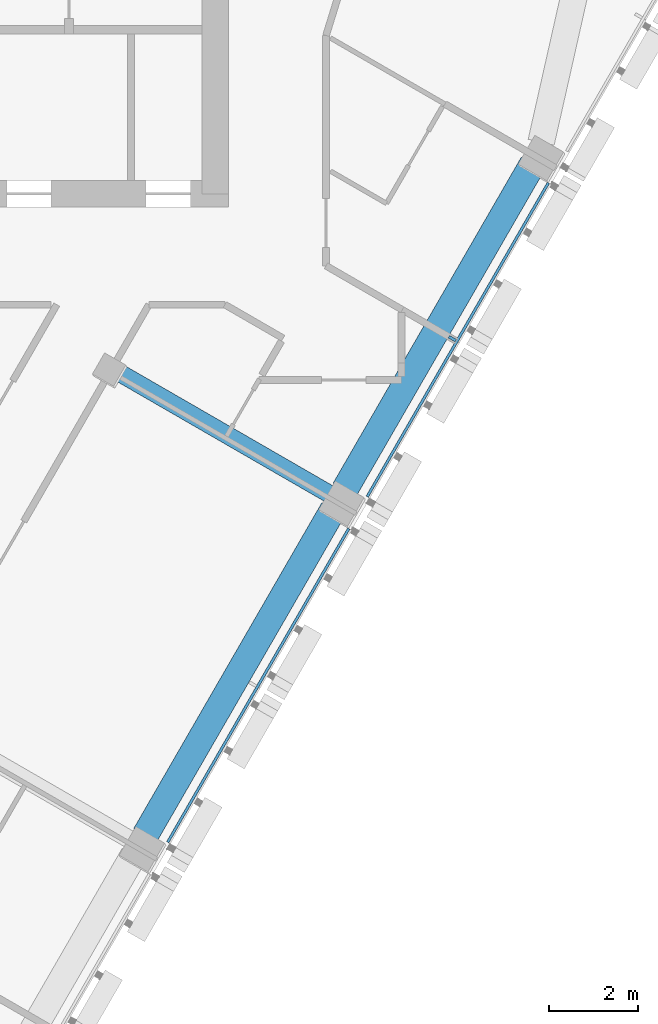
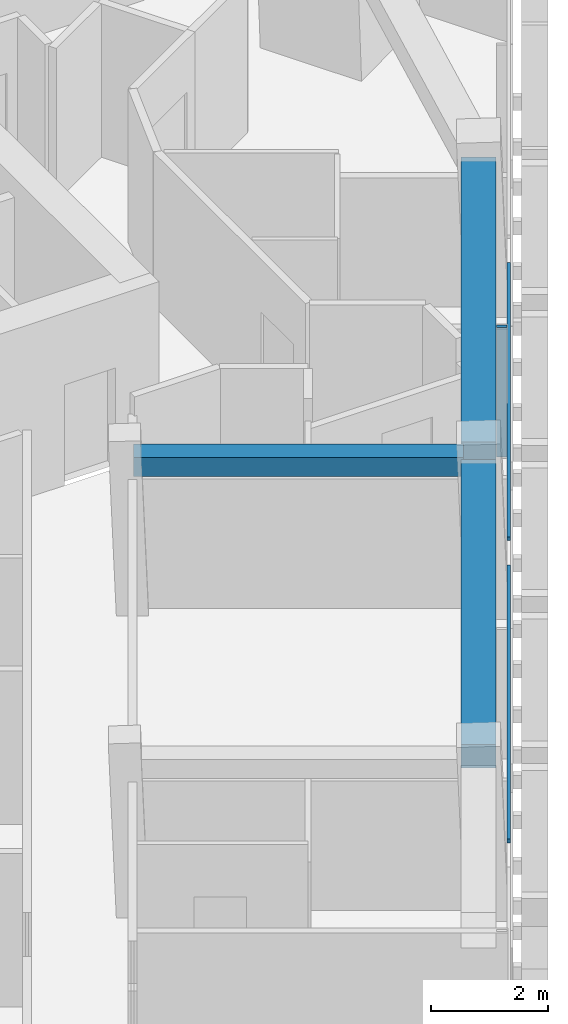
# One storey, part 4 of 15: 3 beams, 3 members, 1 element without a shape of its own.
"""IFC4 building model written with IfcOpenShell, lengths in metres."""

from ifc_helpers import new_model, si_unit, direction, frame, origin, origin_2d, place, context, subcontext, project, spatial, rectangle, extrude, material, layer, layer_set, material_profile, profile_set, type_object, element, aggregate, save


model = new_model("IFC4")

# Units and contexts
model_context = context("Model", 3, precision=1e-05, world=origin(), true_north=direction((0.0, 1.0)))
body_context = subcontext(model_context, "Body", "Model", "MODEL_VIEW")
ifc_project = project(units=[si_unit("LENGTHUNIT", "METRE"), si_unit("AREAUNIT", "SQUARE_METRE"), si_unit("VOLUMEUNIT", "CUBIC_METRE"), si_unit("PLANEANGLEUNIT", "RADIAN"), si_unit("MASSUNIT", "GRAM", prefix="KILO")], contexts=[model_context])

# Site, building, storey
site_placement = place(None, origin())
site = spatial("IfcSite", under=ifc_project, at=site_placement, CompositionType="ELEMENT")
building_placement = place(site_placement, origin())
building = spatial("IfcBuilding", under=site, at=building_placement, Name="Altiplano Prism Tower", CompositionType="ELEMENT")
storey_placement = place(building_placement, frame((0.0, 0.0, 246.39990234375)))
storey = spatial("IfcBuildingStorey", under=building, at=storey_placement, Name="L63", CompositionType="ELEMENT", Elevation=246.39990234375)

# Curtain wall, members
ifc_material_1 = material(Name="Aluminium and glass", Category="aluminium")
ifc_layer = layer(ifc_material_1, 0.280029296875)
ifc_layer_set = layer_set([ifc_layer], Name="Aluminium and glass")
curtain_wall_type = type_object("IfcCurtainWallType", Name="CW1 typical co-living unitised curtain wall", PredefinedType="NOTDEFINED", material=ifc_layer_set)
curtain_wall_placement = place(storey_placement, origin())
curtain_wall = element("IfcCurtainWall", 1, at=curtain_wall_placement, inside=storey, type_object=curtain_wall_type, Name="CW1 curtain wall south-east face L63", PredefinedType="NOTDEFINED")
ifc_material_2 = material(Name="Aluminium", Category="aluminium")
ifc_material_profile_1 = material_profile(ifc_material_2, rectangle(XDim=0.179931640625, YDim=0.06494140625, at=origin_2d()), Name="CW1 mullion 65 x 180")
ifc_profile_set_1 = profile_set([ifc_material_profile_1], Name="Aluminium")
member_type_1 = type_object("IfcMemberType", Name="CW1 mullion 65 x 180", PredefinedType="MULLION", material=ifc_profile_set_1)
member_1_placement = place(storey_placement, frame((102.64697265625, 89.832763671875, 0.0), z_axis=(0.0, 0.0, 1.0), x_axis=(-0.866025400486, 0.500000005713, 0.0)))
member_1 = element("IfcMember", 2, at=member_1_placement, type_object=member_type_1, Name="CW1 mullion", PredefinedType="MULLION", context=body_context, shape_type="SweptSolid", body=[
    extrude(rectangle(XDim=0.179931640625, YDim=0.06494140625, at=origin_2d()), origin(), (0.0, 0.0, 1.0), 2.7001953125),
])
ifc_material_profile_2 = material_profile(ifc_material_2, rectangle(XDim=0.06005859375, YDim=0.080078125, at=origin_2d()), Name="CW1 transom 80 x 60")
ifc_profile_set_2 = profile_set([ifc_material_profile_2], Name="Aluminium")
member_type_2 = type_object("IfcMemberType", Name="CW1 transom 80 x 60", PredefinedType="USERDEFINED", material=ifc_profile_set_2)
member_2_placement = place(storey_placement, frame((96.228271484375, 78.47509765625, 1.10009765625), z_axis=(0.499995783154, 0.866027838368, 0.0), x_axis=(-0.866027838368, 0.499995783154, 0.0)))
member_2 = element("IfcMember", 3, at=member_2_placement, type_object=member_type_2, Name="CW1 transom", ObjectType="TRANSOM", PredefinedType="USERDEFINED", context=body_context, shape_type="SweptSolid", body=[
    extrude(rectangle(XDim=0.06005859375, YDim=0.080078125, at=origin_2d()), origin(), (0.0, 0.0, 1.0), 8.169921875),
])
member_3_placement = place(storey_placement, frame((100.728271484375, 86.269287109375, 1.10009765625), z_axis=(0.499995783154, 0.866027838368, 0.0), x_axis=(-0.866027838368, 0.499995783154, 0.0)))
member_3 = element("IfcMember", 4, at=member_3_placement, type_object=member_type_2, Name="CW1 transom", ObjectType="TRANSOM", PredefinedType="USERDEFINED", context=body_context, shape_type="SweptSolid", body=[
    extrude(rectangle(XDim=0.06005859375, YDim=0.080078125, at=origin_2d()), origin(), (0.0, 0.0, 1.0), 8.169921875),
])
aggregate(curtain_wall, [member_2, member_1, member_3])

# Beams
ifc_material_3 = material(Name="Concrete C60/75", Category="concrete")
ifc_material_profile_3 = material_profile(ifc_material_3, rectangle(XDim=0.60009765625, YDim=0.5, at=origin_2d()), Name="Edge beam 600x500")
ifc_profile_set_3 = profile_set([ifc_material_profile_3], Name="Concrete C60/75")
beam_type_1 = type_object("IfcBeamType", Name="Edge beam 600x500", PredefinedType="SPANDREL", material=ifc_profile_set_3)
for number, where, z_axis, x_axis, name in (
    (5, (95.719482421875, 78.630859375, 2.9501953125), (0.49998963237, 0.866031389456, 0.0), (-0.866031389456, 0.49998963237, 0.0), "Edge beam P22-P23 L64"),
    (6, (100.219482421875, 86.425048828125, 2.9501953125), (0.49998963237, 0.866031389456, 0.0), (-0.866031389456, 0.49998963237, 0.0), "Edge beam P23-P24 L64"),
):
    element("IfcBeam", number, at=place(storey_placement, frame(where, z_axis=z_axis, x_axis=x_axis)), inside=storey, type_object=beam_type_1, Name=name, PredefinedType="SPANDREL", context=body_context, shape_type="SweptSolid", body=[
        extrude(rectangle(XDim=0.60009765625, YDim=0.5, at=origin_2d()), origin(), (0.0, 0.0, 1.0), 8.489990234375),
    ])
ifc_material_profile_4 = material_profile(ifc_material_3, rectangle(XDim=0.39990234375, YDim=0.39990234375, at=origin_2d()), Name="Tie beam 400x400")
ifc_profile_set_4 = profile_set([ifc_material_profile_4], Name="Concrete C60/75")
beam_type_2 = type_object("IfcBeamType", Name="Tie beam 400x400", PredefinedType="BEAM", material=ifc_profile_set_4)
beam_placement = place(storey_placement, frame((94.986572265625, 89.15185546875, 3.0), z_axis=(0.866026281646, -0.499998479497, 0.0), x_axis=(0.499998479497, 0.866026281646, 0.0)))
element("IfcBeam", 7, at=beam_placement, inside=storey, type_object=beam_type_2, Name="Tie beam I23 L64", PredefinedType="BEAM", context=body_context, shape_type="SweptSolid", body=[
    extrude(rectangle(XDim=0.39990234375, YDim=0.39990234375, at=origin_2d()), origin(), (0.0, 0.0, 1.0), 5.64013671875),
])

save(model, "model.ifc")
